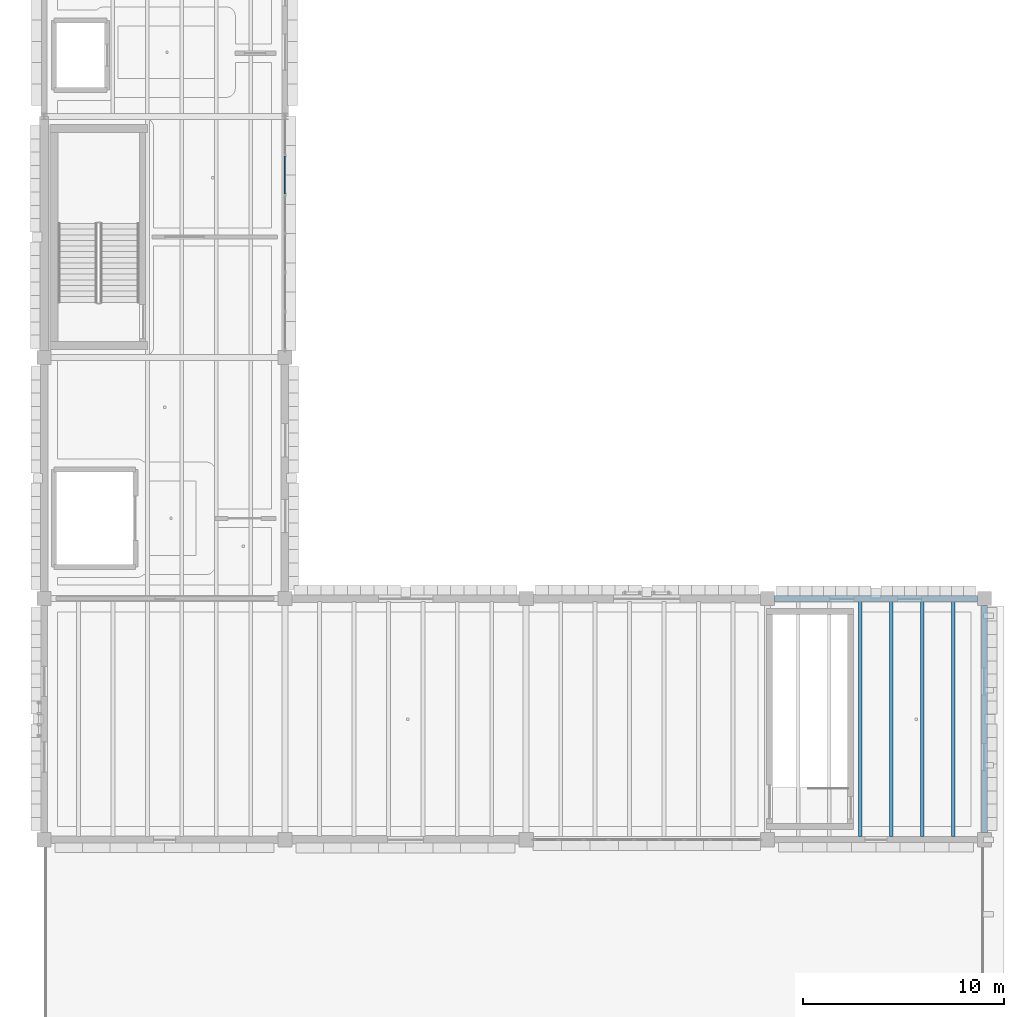
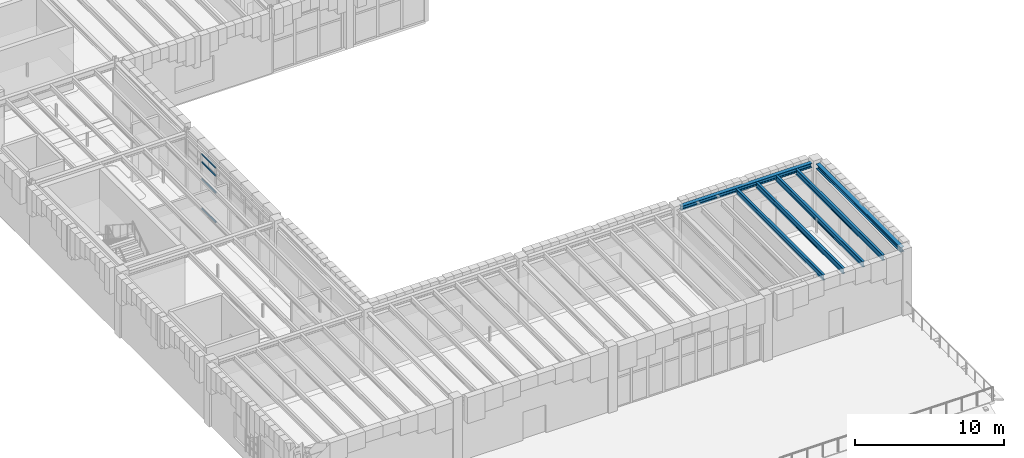
# One storey, part 40 of 100: 6 beams, 4 members, 1 element without a shape of its own.
"""IFC4 building model written with IfcOpenShell, lengths in metres."""

from ifc_helpers import new_model, si_unit, direction, frame, origin, origin_2d, place, context, subcontext, project, spatial, rectangle, i_section, extrude, material, layer, layer_set, material_profile, profile_set, type_object, element, aggregate, save


model = new_model("IFC4")

# Units and contexts
model_context = context("Model", 3, precision=1e-05, world=origin(), true_north=direction((0.0, 1.0)))
body_context = subcontext(model_context, "Body", "Model", "MODEL_VIEW")
ifc_project = project(units=[si_unit("LENGTHUNIT", "METRE"), si_unit("AREAUNIT", "SQUARE_METRE"), si_unit("VOLUMEUNIT", "CUBIC_METRE"), si_unit("PLANEANGLEUNIT", "RADIAN"), si_unit("MASSUNIT", "GRAM", prefix="KILO")], contexts=[model_context])

# Site, building, storey
site_placement = place(None, origin())
site = spatial("IfcSite", under=ifc_project, at=site_placement, CompositionType="ELEMENT")
building_placement = place(site_placement, origin())
building = spatial("IfcBuilding", under=site, at=building_placement, Name="Zlatogorsky Bluff Art Gallery", CompositionType="ELEMENT")
storey_placement = place(building_placement, frame((0.0, 0.0, 5.39990234375)))
storey = spatial("IfcBuildingStorey", under=building, at=storey_placement, Name="L01", CompositionType="ELEMENT", Elevation=5.39990234375)

# Beams
ifc_material_1 = material(Name="Steel S355", Category="steel")
ifc_material_profile_1 = material_profile(ifc_material_1, i_section(OverallWidth=0.300048828125, OverallDepth=0.389892578125, WebThickness=0.010986328125, FlangeThickness=0.01904296875, FilletRadius=0.027099609375, at=origin_2d()), Name="HEA 400")
ifc_profile_set_1 = profile_set([ifc_material_profile_1], Name="Steel S355")
beam_type_1 = type_object("IfcBeamType", Name="Beam BM-09 HEA 400", PredefinedType="BEAM", material=ifc_profile_set_1)
beam_1_placement = place(storey_placement, frame((166.800048828125, 38.72998046875, 4.9150390625), z_axis=(0.0, 1.0, 0.0), x_axis=(-1.0, 0.0, 0.0)))
element("IfcBeam", 1, at=beam_1_placement, inside=storey, type_object=beam_type_1, Name="Primary girder BM-09 L01 Q/5-6", PredefinedType="BEAM", context=body_context, shape_type="SweptSolid", body=[
    extrude(i_section(OverallWidth=0.300048828125, OverallDepth=0.389892578125, WebThickness=0.010986328125, FlangeThickness=0.01904296875, FilletRadius=0.027099609375, at=origin_2d()), origin(), (0.0, 0.0, 1.0), 11.340087890625),
])
ifc_material_profile_2 = material_profile(ifc_material_1, i_section(OverallWidth=0.300048828125, OverallDepth=0.35009765625, WebThickness=0.010009765625, FlangeThickness=0.017578125, FilletRadius=0.027099609375, at=origin_2d()), Name="HEA 360")
ifc_profile_set_2 = profile_set([ifc_material_profile_2], Name="Steel S355")
beam_type_2 = type_object("IfcBeamType", Name="Beam BM-10 HEA 360", PredefinedType="BEAM", material=ifc_profile_set_2)
beam_2_placement = place(storey_placement, frame((156.330078125, 50.39990234375, 4.93505859375), z_axis=(1.0, 0.0, 0.0), x_axis=(0.0, 1.0, 0.0)))
element("IfcBeam", 2, at=beam_2_placement, inside=storey, type_object=beam_type_2, Name="Primary girder BM-10 L01 P-Q/6", PredefinedType="BEAM", context=body_context, shape_type="SweptSolid", body=[
    extrude(i_section(OverallWidth=0.300048828125, OverallDepth=0.35009765625, WebThickness=0.010009765625, FlangeThickness=0.017578125, FilletRadius=0.027099609375, at=origin_2d()), origin(), (0.0, 0.0, 1.0), 10.139892578125),
])
ifc_material_profile_3 = material_profile(ifc_material_1, i_section(OverallWidth=0.18994140625, OverallDepth=0.449951171875, WebThickness=0.009521484375, FlangeThickness=0.0146484375, FilletRadius=0.02099609375, at=origin_2d()), Name="IPE 450")
ifc_profile_set_3 = profile_set([ifc_material_profile_3], Name="Steel S355")
beam_type_3 = type_object("IfcBeamType", Name="Beam JS-06 IPE 450", PredefinedType="JOIST", material=ifc_profile_set_3)
for number, where, z_axis, x_axis, name in (
    (3, (160.628662109375, 38.550048828125, 4.885009765625), (0.0, 1.0, 0.0), (-1.0, 0.0, 0.0), "Composite floor joist JS-06 L01 13.04.3"),
    (4, (162.17138671875, 38.550048828125, 4.885009765625), (0.0, 1.0, 0.0), (-1.0, 0.0, 0.0), "Composite floor joist JS-06 L01 13.04.4"),
    (5, (163.71435546875, 38.550048828125, 4.885009765625), (0.0, 1.0, 0.0), (-1.0, 0.0, 0.0), "Composite floor joist JS-06 L01 13.04.5"),
    (6, (165.257080078125, 38.550048828125, 4.885009765625), (0.0, 1.0, 0.0), (-1.0, 0.0, 0.0), "Composite floor joist JS-06 L01 13.04.6"),
):
    element("IfcBeam", number, at=place(storey_placement, frame(where, z_axis=z_axis, x_axis=x_axis)), inside=storey, type_object=beam_type_3, Name=name, PredefinedType="JOIST", context=body_context, shape_type="SweptSolid", body=[
        extrude(i_section(OverallWidth=0.18994140625, OverallDepth=0.449951171875, WebThickness=0.009521484375, FlangeThickness=0.0146484375, FilletRadius=0.02099609375, at=origin_2d()), origin(), (0.0, 0.0, 1.0), 11.699951171875),
    ])

# Curtain wall, members
ifc_material_2 = material(Name="Anodised Bronze Aluminium and Low-Iron Triple Glazing", Category="aluminium")
ifc_layer = layer(ifc_material_2, 0.219970703125)
ifc_layer_set = layer_set([ifc_layer], Name="Curtain Wall CW-04")
curtain_wall_type = type_object("IfcCurtainWallType", Name="Curtain Wall CW-04", PredefinedType="USERDEFINED", material=ifc_layer_set)
curtain_wall_placement = place(storey_placement, origin())
curtain_wall = element("IfcCurtainWall", 7, at=curtain_wall_placement, inside=storey, type_object=curtain_wall_type, Name="Unitised curtain wall CW-04 L01 E 10.6", ObjectType="CURTAIN WALL", PredefinedType="USERDEFINED")
ifc_material_3 = material(Name="Anodised Bronze Aluminium", Category="aluminium")
ifc_material_profile_4 = material_profile(ifc_material_3, rectangle(XDim=0.06494140625, YDim=0.139892578125, at=origin_2d()), Name="ALU TRANSOM 65x140")
ifc_profile_set_4 = profile_set([ifc_material_profile_4], Name="Anodised Bronze Aluminium")
member_type = type_object("IfcMemberType", Name="Curtain Transom TR-01", PredefinedType="USERDEFINED", material=ifc_profile_set_4)
member_1_placement = place(storey_placement, frame((132.0, 70.547607421875, 0.03271484375), z_axis=(0.0, 1.0, 0.0), x_axis=(-1.0, 0.0, 0.0)))
member_1 = element("IfcMember", 8, at=member_1_placement, type_object=member_type, Name="CW-04 transom 5.1", ObjectType="TRANSOM", PredefinedType="USERDEFINED", context=body_context, shape_type="SweptSolid", body=[
    extrude(rectangle(XDim=0.06494140625, YDim=0.139892578125, at=origin_2d()), origin(), (0.0, 0.0, 1.0), 1.87744140625),
])
member_2_placement = place(storey_placement, frame((132.0, 70.547607421875, 2.4501953125), z_axis=(0.0, 1.0, 0.0), x_axis=(-1.0, 0.0, 0.0)))
member_2 = element("IfcMember", 9, at=member_2_placement, type_object=member_type, Name="CW-04 transom 5.2", ObjectType="TRANSOM", PredefinedType="USERDEFINED", context=body_context, shape_type="SweptSolid", body=[
    extrude(rectangle(XDim=0.06494140625, YDim=0.139892578125, at=origin_2d()), origin(), (0.0, 0.0, 1.0), 1.87744140625),
])
member_3_placement = place(storey_placement, frame((132.0, 70.547607421875, 3.85009765625), z_axis=(0.0, 1.0, 0.0), x_axis=(-1.0, 0.0, 0.0)))
member_3 = element("IfcMember", 10, at=member_3_placement, type_object=member_type, Name="CW-04 transom 5.3", ObjectType="TRANSOM", PredefinedType="USERDEFINED", context=body_context, shape_type="SweptSolid", body=[
    extrude(rectangle(XDim=0.06494140625, YDim=0.139892578125, at=origin_2d()), origin(), (0.0, 0.0, 1.0), 1.87744140625),
])
member_4_placement = place(storey_placement, frame((132.0, 70.547607421875, 4.49755859375), z_axis=(0.0, 1.0, 0.0), x_axis=(-1.0, 0.0, 0.0)))
member_4 = element("IfcMember", 11, at=member_4_placement, type_object=member_type, Name="CW-04 transom 5.4", ObjectType="TRANSOM", PredefinedType="USERDEFINED", context=body_context, shape_type="SweptSolid", body=[
    extrude(rectangle(XDim=0.06494140625, YDim=0.139892578125, at=origin_2d()), origin(), (0.0, 0.0, 1.0), 1.87744140625),
])
aggregate(curtain_wall, [member_1, member_2, member_3, member_4])

save(model, "model.ifc")
